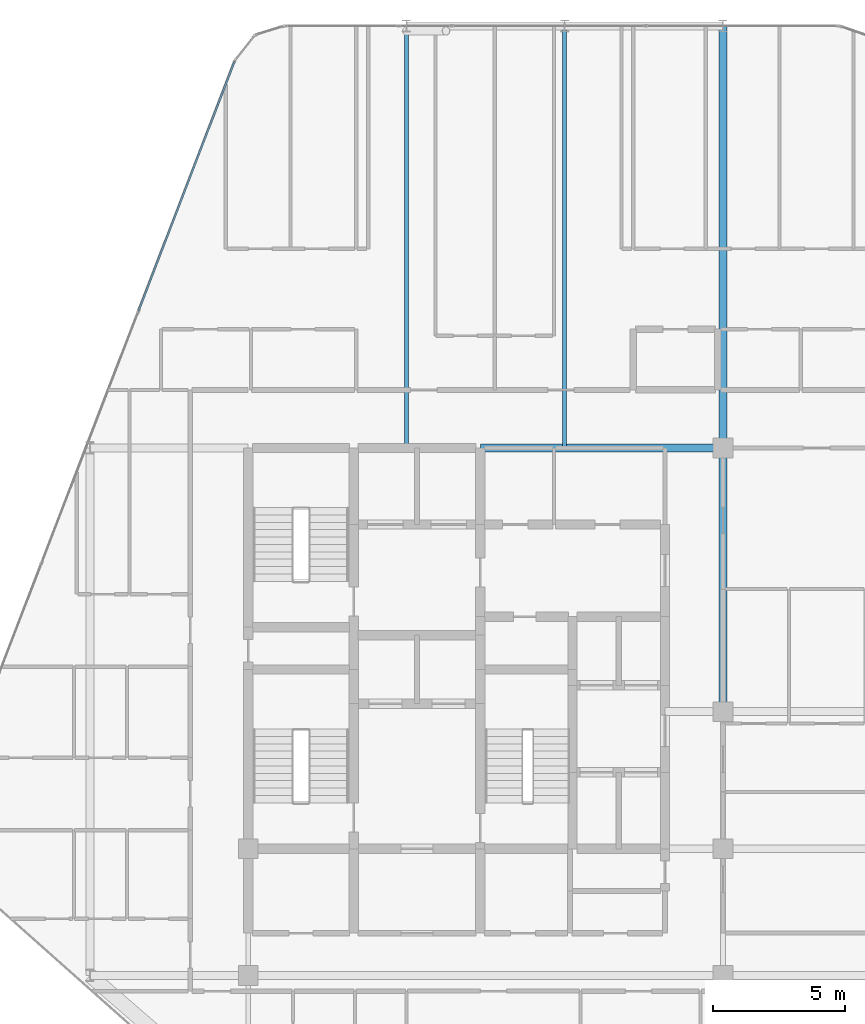
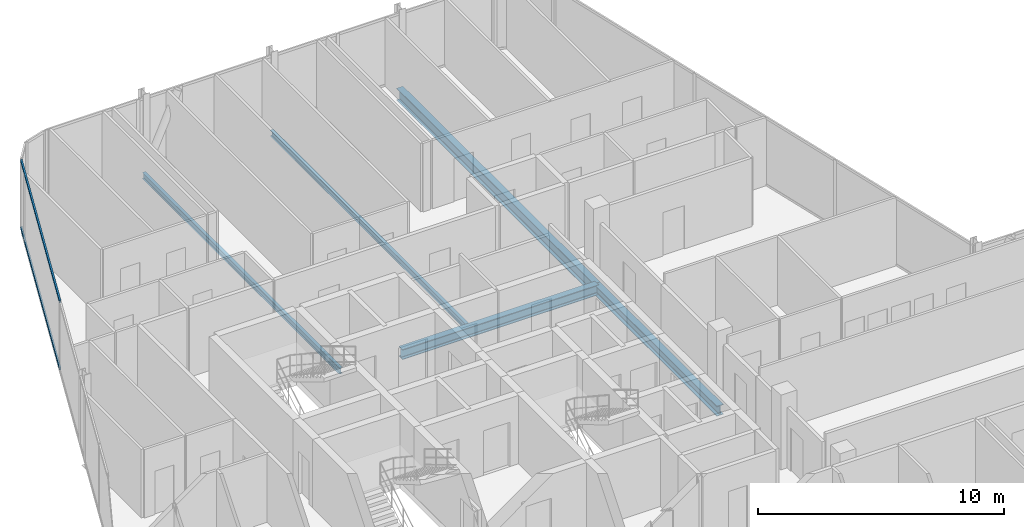
# One storey, part 17 of 29: 5 beams, 2 members, 1 element without a shape of its own.
"""IFC4 building model written with IfcOpenShell, lengths in metres."""

from ifc_helpers import new_model, si_unit, direction, frame, origin, origin_2d, place, context, subcontext, project, spatial, hollow_rectangle, i_section, extrude, material, layer, layer_set, material_profile, profile_set, type_object, element, aggregate, save


model = new_model("IFC4")

# Units and contexts
model_context = context("Model", 3, precision=1e-05, world=origin(), true_north=direction((0.0, 1.0)))
body_context = subcontext(model_context, "Body", "Model", "MODEL_VIEW")
ifc_project = project(units=[si_unit("LENGTHUNIT", "METRE"), si_unit("AREAUNIT", "SQUARE_METRE"), si_unit("VOLUMEUNIT", "CUBIC_METRE"), si_unit("PLANEANGLEUNIT", "RADIAN"), si_unit("MASSUNIT", "GRAM", prefix="KILO")], contexts=[model_context])

# Site, building, storey
site_placement = place(None, origin())
site = spatial("IfcSite", under=ifc_project, at=site_placement, CompositionType="ELEMENT")
building_placement = place(site_placement, origin())
building = spatial("IfcBuilding", under=site, at=building_placement, Name="Keshet Zoharim Tower", CompositionType="ELEMENT")
storey_placement = place(building_placement, frame((0.0, 0.0, 206.89990234375)))
storey = spatial("IfcBuildingStorey", under=building, at=storey_placement, Name="L51", CompositionType="ELEMENT", Elevation=206.89990234375)

# Beams
ifc_material_1 = material(Name="Steel S355", Category="steel")
ifc_material_profile_1 = material_profile(ifc_material_1, i_section(OverallWidth=0.14990234375, OverallDepth=0.300048828125, WebThickness=0.007080078125, FlangeThickness=0.0107421875, FilletRadius=0.014892578125, at=origin_2d()), Name="IPE300")
ifc_profile_set_1 = profile_set([ifc_material_profile_1], Name="Steel S355")
beam_type_1 = type_object("IfcBeamType", Name="BM-JST-IP300", PredefinedType="JOIST", material=ifc_profile_set_1)
for number, where, z_axis, x_axis, name in (
    (1, (21.0, 37.89990234375, -0.4599609375), (0.0, 1.0, 0.0), (-1.0, 0.0, 0.0), "L51 Secondary Floor Joist J-001"),
    (2, (27.0, 37.89990234375, -0.4599609375), (0.0, 1.0, 0.0), (-1.0, 0.0, 0.0), "L51 Secondary Floor Joist J-002"),
):
    element("IfcBeam", number, at=place(storey_placement, frame(where, z_axis=z_axis, x_axis=x_axis)), inside=storey, type_object=beam_type_1, Name=name, PredefinedType="JOIST", context=body_context, shape_type="SweptSolid", body=[
        extrude(i_section(OverallWidth=0.14990234375, OverallDepth=0.300048828125, WebThickness=0.007080078125, FlangeThickness=0.0107421875, FilletRadius=0.014892578125, at=origin_2d()), origin(), (0.0, 0.0, 1.0), 16.0),
    ])
ifc_material_profile_2 = material_profile(ifc_material_1, i_section(OverallWidth=0.300048828125, OverallDepth=0.60009765625, WebThickness=0.015380859375, FlangeThickness=0.030029296875, FilletRadius=0.027099609375, at=origin_2d()), Name="HEB600")
ifc_profile_set_2 = profile_set([ifc_material_profile_2], Name="Steel S355")
beam_type_2 = type_object("IfcBeamType", Name="BM-LNG-HB600", PredefinedType="BEAM", material=ifc_profile_set_2)
beam_1_placement = place(storey_placement, frame((33.0, 37.89990234375, -0.60986328125), z_axis=(0.0, 1.0, 0.0), x_axis=(-1.0, 0.0, 0.0)))
element("IfcBeam", 3, at=beam_1_placement, inside=storey, type_object=beam_type_2, Name="L51 Primary Girder Y-011", PredefinedType="BEAM", context=body_context, shape_type="SweptSolid", body=[
    extrude(i_section(OverallWidth=0.300048828125, OverallDepth=0.60009765625, WebThickness=0.015380859375, FlangeThickness=0.030029296875, FilletRadius=0.027099609375, at=origin_2d()), origin(), (0.0, 0.0, 1.0), 16.0),
])
ifc_material_profile_3 = material_profile(ifc_material_1, i_section(OverallWidth=0.300048828125, OverallDepth=0.5, WebThickness=0.014404296875, FlangeThickness=0.028076171875, FilletRadius=0.027099609375, at=origin_2d()), Name="HEB500")
ifc_profile_set_3 = profile_set([ifc_material_profile_3], Name="Steel S355")
beam_type_3 = type_object("IfcBeamType", Name="BM-MED-HB500", PredefinedType="BEAM", material=ifc_profile_set_3)
beam_2_placement = place(storey_placement, frame((23.800048828125, 37.89990234375, -0.559814453125), z_axis=(1.0, 0.0, 0.0), x_axis=(0.0, 1.0, 0.0)))
element("IfcBeam", 4, at=beam_2_placement, inside=storey, type_object=beam_type_3, Name="L51 Primary Girder X-018", PredefinedType="BEAM", context=body_context, shape_type="SweptSolid", body=[
    extrude(i_section(OverallWidth=0.300048828125, OverallDepth=0.5, WebThickness=0.014404296875, FlangeThickness=0.028076171875, FilletRadius=0.027099609375, at=origin_2d()), origin(), (0.0, 0.0, 1.0), 9.199951171875),
])
beam_3_placement = place(storey_placement, frame((33.0, 27.89990234375, -0.559814453125), z_axis=(0.0, 1.0, 0.0), x_axis=(-1.0, 0.0, 0.0)))
element("IfcBeam", 5, at=beam_3_placement, inside=storey, type_object=beam_type_3, Name="L51 Primary Girder Y-010", PredefinedType="BEAM", context=body_context, shape_type="SweptSolid", body=[
    extrude(i_section(OverallWidth=0.300048828125, OverallDepth=0.5, WebThickness=0.014404296875, FlangeThickness=0.028076171875, FilletRadius=0.027099609375, at=origin_2d()), origin(), (0.0, 0.0, 1.0), 10.0),
])

# Curtain wall, members
ifc_material_2 = material(Name="Aluminium 6063-T6", Category="aluminium")
ifc_layer = layer(ifc_material_2, 0.139892578125)
ifc_layer_set = layer_set([ifc_layer], Name="Aluminium 6063-T6")
curtain_wall_type = type_object("IfcCurtainWallType", Name="CW-SYS-05", PredefinedType="NOTDEFINED", material=ifc_layer_set)
curtain_wall_placement = place(storey_placement, origin())
curtain_wall = element("IfcCurtainWall", 6, at=curtain_wall_placement, inside=storey, type_object=curtain_wall_type, Name="L51 Unitised Curtain Wall 13", PredefinedType="NOTDEFINED")
ifc_material_profile_4 = material_profile(ifc_material_2, hollow_rectangle(XDim=0.074951171875, YDim=0.1201171875, WallThickness=0.00390625, at=origin_2d()), Name="TRN-75x120")
ifc_profile_set_4 = profile_set([ifc_material_profile_4], Name="Aluminium 6063-T6")
member_type = type_object("IfcMemberType", Name="CWT-T12", PredefinedType="USERDEFINED", material=ifc_profile_set_4)
member_1_placement = place(storey_placement, frame((10.849609375, 43.10888671875, 0.03515625), z_axis=(0.358985546764, 0.933343118694, 0.0), x_axis=(-0.933343118694, 0.358985546764, 0.0)))
member_1 = element("IfcMember", 7, at=member_1_placement, type_object=member_type, Name="CW-05 transom 3.1", ObjectType="TRANSOM", PredefinedType="USERDEFINED", context=body_context, shape_type="SweptSolid", body=[
    extrude(hollow_rectangle(XDim=0.074951171875, YDim=0.1201171875, WallThickness=0.00390625, at=origin_2d()), origin(), (0.0, 0.0, 1.0), 10.118408203125),
])
member_2_placement = place(storey_placement, frame((10.849609375, 43.10888671875, 3.35498046875), z_axis=(0.358985546764, 0.933343118694, 0.0), x_axis=(-0.933343118694, 0.358985546764, 0.0)))
member_2 = element("IfcMember", 8, at=member_2_placement, type_object=member_type, Name="CW-05 transom 3.2", ObjectType="TRANSOM", PredefinedType="USERDEFINED", context=body_context, shape_type="SweptSolid", body=[
    extrude(hollow_rectangle(XDim=0.074951171875, YDim=0.1201171875, WallThickness=0.00390625, at=origin_2d()), origin(), (0.0, 0.0, 1.0), 10.118408203125),
])
aggregate(curtain_wall, [member_1, member_2])

save(model, "model.ifc")
